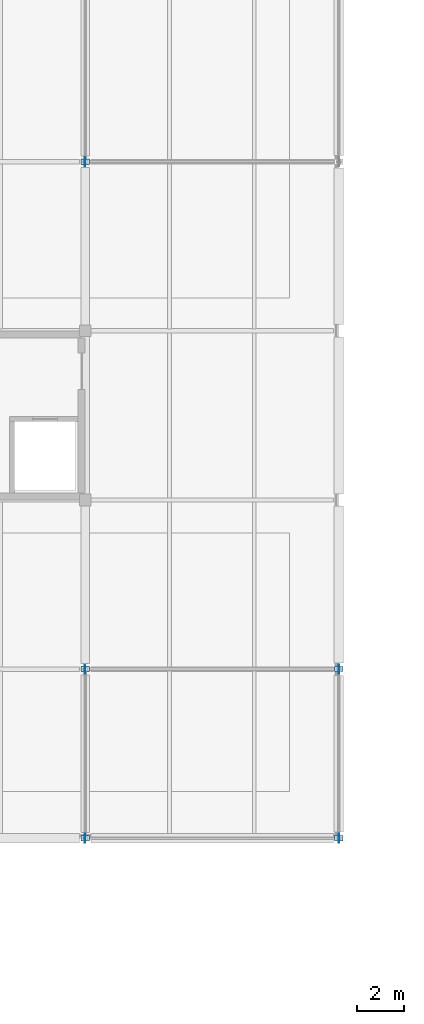
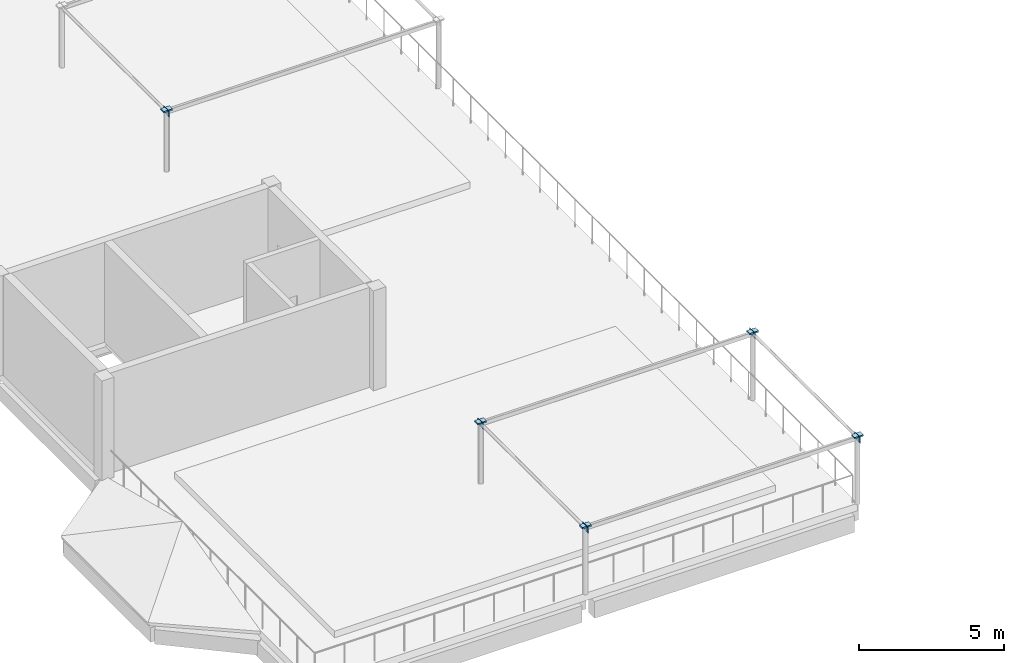
# One storey, part 21 of 33: 10 plates.
"""IFC4 building model written with IfcOpenShell, lengths in metres."""

from ifc_helpers import new_model, si_unit, direction, frame, origin, origin_2d, place, context, subcontext, project, spatial, rectangle, extrude, material, layer, layer_set, type_object, element, save


model = new_model("IFC4")

# Units and contexts
model_context = context("Model", 3, precision=1e-05, world=origin(), true_north=direction((0.0, 1.0)))
body_context = subcontext(model_context, "Body", "Model", "MODEL_VIEW")
ifc_project = project(units=[si_unit("LENGTHUNIT", "METRE"), si_unit("AREAUNIT", "SQUARE_METRE"), si_unit("VOLUMEUNIT", "CUBIC_METRE"), si_unit("PLANEANGLEUNIT", "RADIAN"), si_unit("MASSUNIT", "GRAM", prefix="KILO")], contexts=[model_context])

# Site, building, storey
site_placement = place(None, origin())
site = spatial("IfcSite", under=ifc_project, at=site_placement, CompositionType="ELEMENT")
building_placement = place(site_placement, origin())
building = spatial("IfcBuilding", under=site, at=building_placement, Name="Lusvemor Sports Hall", CompositionType="ELEMENT")
storey_placement = place(building_placement, frame((0.0, 0.0, 19.199951171875)))
storey = spatial("IfcBuildingStorey", under=building, at=storey_placement, Name="L04", CompositionType="ELEMENT", Elevation=19.199951171875)

# Plates
ifc_material_1 = material(Name="Steel S355", Category="steel")
ifc_layer_1 = layer(ifc_material_1, 0.013916015625)
ifc_layer_set_1 = layer_set([ifc_layer_1], Name="Steel S355")
plate_type_1 = type_object("IfcPlateType", Name="GUSSET_CANOPY_D", PredefinedType="USERDEFINED", material=ifc_layer_set_1)
for number, where, z_axis, x_axis, name in (
    (1, (10.800048828125, 54.0, 2.635009765625), (0.0, 0.0, 1.0), (1.0, 0.0, 0.0), "Pergola Rafter End Cap PERG-L04-WS-1A"),
    (2, (21.60009765625, 54.0, 2.635009765625), (0.0, 0.0, 1.0), (1.0, 0.0, 0.0), "Pergola Rafter End Cap PERG-L04-WS-1B"),
    (3, (10.800048828125, 61.199951171875, 2.635009765625), (0.0, 0.0, 1.0), (1.0, 0.0, 0.0), "Pergola Rafter End Cap PERG-L04-WS-2A"),
    (4, (21.60009765625, 61.199951171875, 2.635009765625), (0.0, 0.0, 1.0), (1.0, 0.0, 0.0), "Pergola Rafter End Cap PERG-L04-WS-2B"),
    (5, (10.800048828125, 82.800048828125, 2.635009765625), (0.0, 0.0, 1.0), (1.0, 0.0, 0.0), "Pergola Rafter End Cap PERG-L04-WN-1A"),
):
    element("IfcPlate", number, at=place(storey_placement, frame(where, z_axis=z_axis, x_axis=x_axis)), inside=storey, type_object=plate_type_1, Name=name, ObjectType="GUSSET_PLATE", PredefinedType="USERDEFINED", context=body_context, shape_type="SweptSolid", body=[
        extrude(rectangle(XDim=0.013916015625, YDim=0.389892578125, at=origin_2d()), origin(), (0.0, 0.0, 1.0), 0.25),
    ])
ifc_material_2 = material(Name="Steel S355", Category="steel")
ifc_layer_2 = layer(ifc_material_2, 0.06005859375)
ifc_layer_set_2 = layer_set([ifc_layer_2], Name="Steel S355")
plate_type_2 = type_object("IfcPlateType", Name="GUSSET_TIE_F", PredefinedType="USERDEFINED", material=ifc_layer_set_2)
for number, where, z_axis, x_axis, name in (
    (6, (10.800048828125, 54.0, 2.820068359375), (0.0, 0.0, 1.0), (1.0, 0.0, 0.0), "Pergola Post Cap PERG-L04-WS-1A"),
    (7, (21.60009765625, 54.0, 2.820068359375), (0.0, 0.0, 1.0), (1.0, 0.0, 0.0), "Pergola Post Cap PERG-L04-WS-1B"),
    (8, (10.800048828125, 61.199951171875, 2.820068359375), (0.0, 0.0, 1.0), (1.0, 0.0, 0.0), "Pergola Post Cap PERG-L04-WS-2A"),
    (9, (21.60009765625, 61.199951171875, 2.820068359375), (0.0, 0.0, 1.0), (1.0, 0.0, 0.0), "Pergola Post Cap PERG-L04-WS-2B"),
    (10, (10.800048828125, 82.800048828125, 2.820068359375), (0.0, 0.0, 1.0), (1.0, 0.0, 0.0), "Pergola Post Cap PERG-L04-WN-1A"),
):
    element("IfcPlate", number, at=place(storey_placement, frame(where, z_axis=z_axis, x_axis=x_axis)), inside=storey, type_object=plate_type_2, Name=name, ObjectType="GUSSET_PLATE", PredefinedType="USERDEFINED", context=body_context, shape_type="SweptSolid", body=[
        extrude(rectangle(XDim=0.35009765625, YDim=0.219970703125, at=origin_2d()), origin(), (0.0, 0.0, 1.0), 0.06005859375),
    ])

save(model, "model.ifc")
